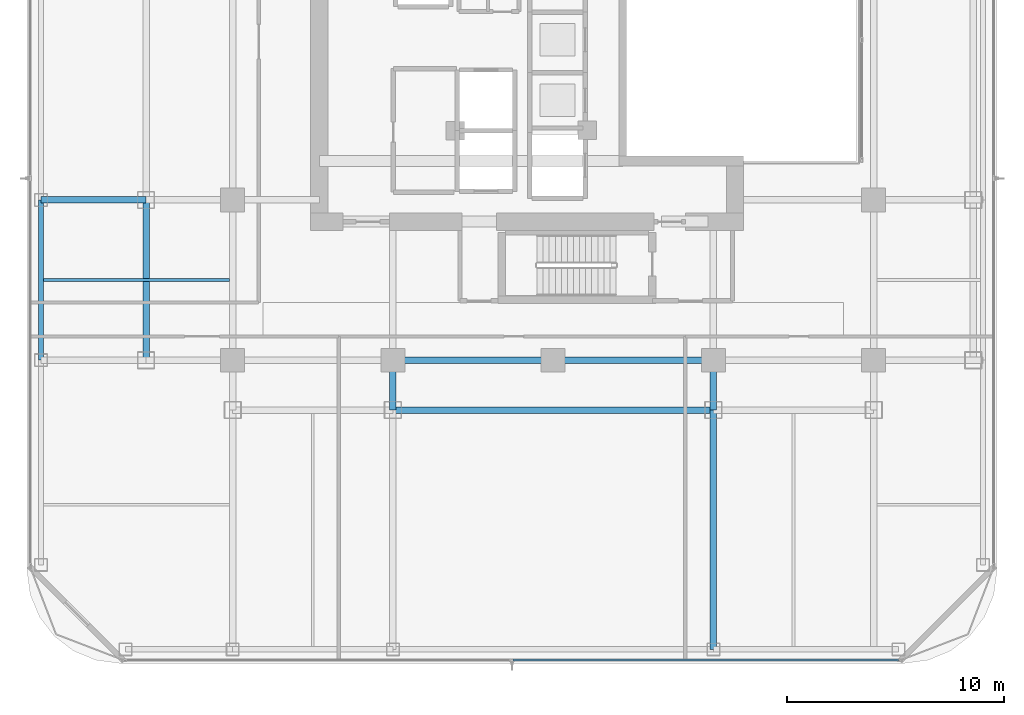
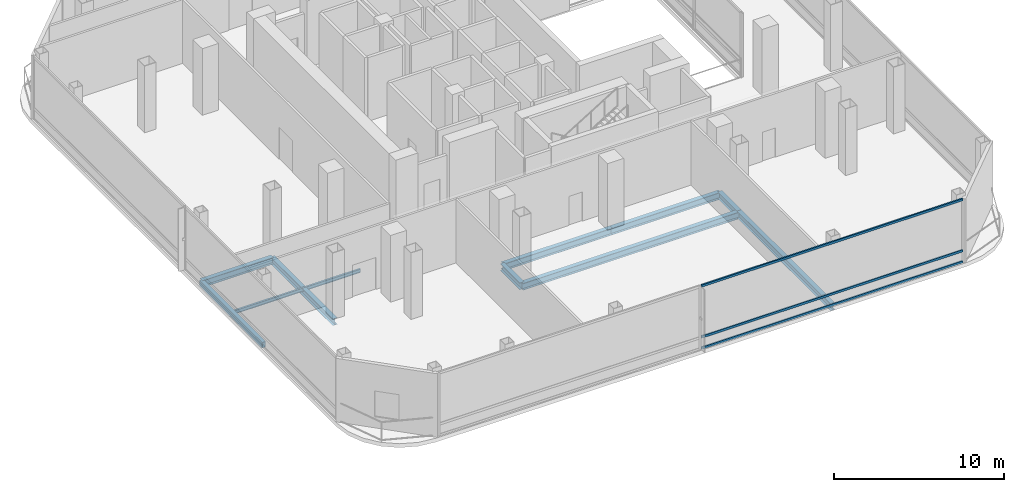
# One storey, part 5 of 22: 10 beams, 3 members, 1 element without a shape of its own.
"""IFC4 building model written with IfcOpenShell, lengths in metres."""

from ifc_helpers import new_model, si_unit, direction, frame, origin, origin_2d, place, context, subcontext, project, spatial, hollow_rectangle, i_section, extrude, material, layer, layer_set, material_profile, profile_set, type_object, element, aggregate, save


model = new_model("IFC4")

# Units and contexts
model_context = context("Model", 3, precision=1e-05, world=origin(), true_north=direction((0.0, 1.0)))
body_context = subcontext(model_context, "Body", "Model", "MODEL_VIEW")
ifc_project = project(units=[si_unit("LENGTHUNIT", "METRE"), si_unit("AREAUNIT", "SQUARE_METRE"), si_unit("VOLUMEUNIT", "CUBIC_METRE"), si_unit("PLANEANGLEUNIT", "RADIAN"), si_unit("MASSUNIT", "GRAM", prefix="KILO")], contexts=[model_context])

# Site, building, storey
site_placement = place(None, origin())
site = spatial("IfcSite", under=ifc_project, at=site_placement, CompositionType="ELEMENT")
building_placement = place(site_placement, origin())
building = spatial("IfcBuilding", under=site, at=building_placement, Name="Khorvyn Point Tower", CompositionType="ELEMENT")
storey_placement = place(building_placement, frame((0.0, 0.0, 210.89990234375)))
storey = spatial("IfcBuildingStorey", under=building, at=storey_placement, Name="L52", CompositionType="ELEMENT", Elevation=210.89990234375)

# Curtain wall, members
ifc_material_1 = material(Name="Anodised aluminium 6063-T6 and laminated Low-E glass", Category="aluminium")
ifc_layer = layer(ifc_material_1, 0.18994140625)
ifc_layer_set = layer_set([ifc_layer], Name="Stick-Built Sky-Lobby Curtain Wall CW-SYS-05")
curtain_wall_type = type_object("IfcCurtainWallType", Name="Stick-Built Sky-Lobby Curtain Wall CW-SYS-05", PredefinedType="NOTDEFINED", material=ifc_layer_set)
curtain_wall_placement = place(storey_placement, origin())
curtain_wall = element("IfcCurtainWall", 1, at=curtain_wall_placement, inside=storey, type_object=curtain_wall_type, Name="Curtain Wall", PredefinedType="NOTDEFINED")
ifc_material_2 = material(Name="Anodised aluminium 6063-T6", Category="aluminium")
ifc_material_profile_1 = material_profile(ifc_material_2, hollow_rectangle(XDim=0.10009765625, YDim=0.159912109375, WallThickness=0.00439453125, at=origin_2d()))
ifc_profile_set_1 = profile_set([ifc_material_profile_1], Name="Anodised aluminium 6063-T6 ALU-TRN-100x160")
member_type = type_object("IfcMemberType", Name="Anodised Aluminium 6063-T6 Transom ALU-TRN-100x160", PredefinedType="USERDEFINED", material=ifc_profile_set_1)
member_1_placement = place(storey_placement, frame((15.949951171875, -28.64990234375, 0.050048828125), z_axis=(-1.0, 0.0, 0.0), x_axis=(0.0, -1.0, 0.0)))
member_1 = element("IfcMember", 2, at=member_1_placement, type_object=member_type, Name="Transom", ObjectType="TRANSOM", PredefinedType="USERDEFINED", context=body_context, shape_type="SweptSolid", body=[
    extrude(hollow_rectangle(XDim=0.10009765625, YDim=0.159912109375, WallThickness=0.00439453125, at=origin_2d()), origin(), (0.0, 0.0, 1.0), 17.800048828125),
])
member_2_placement = place(storey_placement, frame((15.949951171875, -28.64990234375, 0.85009765625), z_axis=(-1.0, 0.0, 0.0), x_axis=(0.0, -1.0, 0.0)))
member_2 = element("IfcMember", 3, at=member_2_placement, type_object=member_type, Name="Transom", ObjectType="TRANSOM", PredefinedType="USERDEFINED", context=body_context, shape_type="SweptSolid", body=[
    extrude(hollow_rectangle(XDim=0.10009765625, YDim=0.159912109375, WallThickness=0.00439453125, at=origin_2d()), origin(), (0.0, 0.0, 1.0), 17.800048828125),
])
member_3_placement = place(storey_placement, frame((15.949951171875, -28.64990234375, 4.530029296875), z_axis=(-1.0, 0.0, 0.0), x_axis=(0.0, -1.0, 0.0)))
member_3 = element("IfcMember", 4, at=member_3_placement, type_object=member_type, Name="Transom", ObjectType="TRANSOM", PredefinedType="USERDEFINED", context=body_context, shape_type="SweptSolid", body=[
    extrude(hollow_rectangle(XDim=0.10009765625, YDim=0.159912109375, WallThickness=0.00439453125, at=origin_2d()), origin(), (0.0, 0.0, 1.0), 17.800048828125),
])
aggregate(curtain_wall, [member_1, member_2, member_3])

# Beams
ifc_material_3 = material(Name="Steel S355", Category="steel")
ifc_material_profile_2 = material_profile(ifc_material_3, i_section(OverallWidth=0.125, OverallDepth=0.25, WebThickness=0.006103515625, FlangeThickness=0.009033203125, at=origin_2d()))
ifc_profile_set_2 = profile_set([ifc_material_profile_2], Name="Steel S355 H250x125x6x9")
beam_type_1 = type_object("IfcBeamType", Name="Steel S355 Joist H250x125x6x9", PredefinedType="JOIST", material=ifc_profile_set_2)
beam_1_placement = place(storey_placement, frame((-23.52490234375, -11.10009765625, -0.40478515625), z_axis=(1.0, 0.0, 0.0), x_axis=(0.0, 1.0, 0.0)))
element("IfcBeam", 5, at=beam_1_placement, inside=storey, type_object=beam_type_1, Name="Beam", PredefinedType="JOIST", context=body_context, shape_type="SweptSolid", body=[
    extrude(i_section(OverallWidth=0.125, OverallDepth=0.25, WebThickness=0.006103515625, FlangeThickness=0.009033203125, at=origin_2d()), origin(), (0.0, 0.0, 1.0), 8.574951171875),
])
ifc_material_profile_3 = material_profile(ifc_material_3, i_section(OverallWidth=0.300048828125, OverallDepth=0.488037109375, WebThickness=0.010986328125, FlangeThickness=0.01806640625, at=origin_2d()))
ifc_profile_set_3 = profile_set([ifc_material_profile_3], Name="Steel S355 H488x300x11x18")
beam_type_2 = type_object("IfcBeamType", Name="Steel S355 Spandrel H488x300x11x18", PredefinedType="SPANDREL", material=ifc_profile_set_3)
for number, where, z_axis, x_axis, name in (
    (6, (-7.39990234375, -14.800048828125, -0.52392578125), (1.0, 0.0, 0.0), (0.0, 1.0, 0.0), "Beam"),
    (7, (0.0, -14.800048828125, -0.52392578125), (1.0, 0.0, 0.0), (0.0, 1.0, 0.0), "Beam"),
):
    element("IfcBeam", number, at=place(storey_placement, frame(where, z_axis=z_axis, x_axis=x_axis)), inside=storey, type_object=beam_type_2, Name=name, PredefinedType="SPANDREL", context=body_context, shape_type="SweptSolid", body=[
        extrude(i_section(OverallWidth=0.300048828125, OverallDepth=0.488037109375, WebThickness=0.010986328125, FlangeThickness=0.01806640625, at=origin_2d()), origin(), (0.0, 0.0, 1.0), 7.39990234375),
    ])
beam_2_placement = place(storey_placement, frame((-23.64990234375, -7.39990234375, -0.52392578125), z_axis=(1.0, 0.0, 0.0), x_axis=(0.0, 1.0, 0.0)))
element("IfcBeam", 8, at=beam_2_placement, inside=storey, type_object=beam_type_2, Name="Beam", PredefinedType="SPANDREL", context=body_context, shape_type="SweptSolid", body=[
    extrude(i_section(OverallWidth=0.300048828125, OverallDepth=0.488037109375, WebThickness=0.010986328125, FlangeThickness=0.01806640625, at=origin_2d()), origin(), (0.0, 0.0, 1.0), 4.849853515625),
])
beam_3_placement = place(storey_placement, frame((-7.39990234375, -17.10009765625, -0.52392578125), z_axis=(1.0, 0.0, 0.0), x_axis=(0.0, 1.0, 0.0)))
element("IfcBeam", 9, at=beam_3_placement, inside=storey, type_object=beam_type_2, Name="Beam", PredefinedType="SPANDREL", context=body_context, shape_type="SweptSolid", body=[
    extrude(i_section(OverallWidth=0.300048828125, OverallDepth=0.488037109375, WebThickness=0.010986328125, FlangeThickness=0.01806640625, at=origin_2d()), origin(), (0.0, 0.0, 1.0), 14.7998046875),
])
beam_4_placement = place(storey_placement, frame((-7.39990234375, -17.10009765625, -0.52392578125), z_axis=(0.0, 1.0, 0.0), x_axis=(-1.0, 0.0, 0.0)))
element("IfcBeam", 10, at=beam_4_placement, inside=storey, type_object=beam_type_2, Name="Beam", PredefinedType="SPANDREL", context=body_context, shape_type="SweptSolid", body=[
    extrude(i_section(OverallWidth=0.300048828125, OverallDepth=0.488037109375, WebThickness=0.010986328125, FlangeThickness=0.01806640625, at=origin_2d()), origin(), (0.0, 0.0, 1.0), 2.300048828125),
])
beam_5_placement = place(storey_placement, frame((7.39990234375, -28.14990234375, -0.52392578125), z_axis=(0.0, 1.0, 0.0), x_axis=(-1.0, 0.0, 0.0)))
element("IfcBeam", 11, at=beam_5_placement, inside=storey, type_object=beam_type_2, Name="Beam", PredefinedType="SPANDREL", context=body_context, shape_type="SweptSolid", body=[
    extrude(i_section(OverallWidth=0.300048828125, OverallDepth=0.488037109375, WebThickness=0.010986328125, FlangeThickness=0.01806640625, at=origin_2d()), origin(), (0.0, 0.0, 1.0), 11.0498046875),
])
beam_6_placement = place(storey_placement, frame((7.39990234375, -17.10009765625, -0.52392578125), z_axis=(0.0, 1.0, 0.0), x_axis=(-1.0, 0.0, 0.0)))
element("IfcBeam", 12, at=beam_6_placement, inside=storey, type_object=beam_type_2, Name="Beam", PredefinedType="SPANDREL", context=body_context, shape_type="SweptSolid", body=[
    extrude(i_section(OverallWidth=0.300048828125, OverallDepth=0.488037109375, WebThickness=0.010986328125, FlangeThickness=0.01806640625, at=origin_2d()), origin(), (0.0, 0.0, 1.0), 2.300048828125),
])
beam_7_placement = place(storey_placement, frame((-18.800048828125, -14.800048828125, -0.52392578125), z_axis=(0.0, 1.0, 0.0), x_axis=(-1.0, 0.0, 0.0)))
element("IfcBeam", 13, at=beam_7_placement, inside=storey, type_object=beam_type_2, Name="Beam", PredefinedType="SPANDREL", context=body_context, shape_type="SweptSolid", body=[
    extrude(i_section(OverallWidth=0.300048828125, OverallDepth=0.488037109375, WebThickness=0.010986328125, FlangeThickness=0.01806640625, at=origin_2d()), origin(), (0.0, 0.0, 1.0), 7.400146484375),
])
ifc_material_profile_4 = material_profile(ifc_material_3, hollow_rectangle(XDim=0.25, YDim=0.39990234375, WallThickness=0.01611328125, at=origin_2d()))
ifc_profile_set_4 = profile_set([ifc_material_profile_4], Name="Steel S355 RHS400x250x16")
beam_type_3 = type_object("IfcBeamType", Name="Steel S355 Spandrel RHS400x250x16", PredefinedType="SPANDREL", material=ifc_profile_set_4)
beam_8_placement = place(storey_placement, frame((-23.64990234375, -14.800048828125, -0.47998046875), z_axis=(0.0, 1.0, 0.0), x_axis=(-1.0, 0.0, 0.0)))
element("IfcBeam", 14, at=beam_8_placement, inside=storey, type_object=beam_type_3, Name="Beam", PredefinedType="SPANDREL", context=body_context, shape_type="SweptSolid", body=[
    extrude(hollow_rectangle(XDim=0.25, YDim=0.39990234375, WallThickness=0.01611328125, at=origin_2d()), origin(), (0.0, 0.0, 1.0), 7.400146484375),
])

save(model, "model.ifc")
